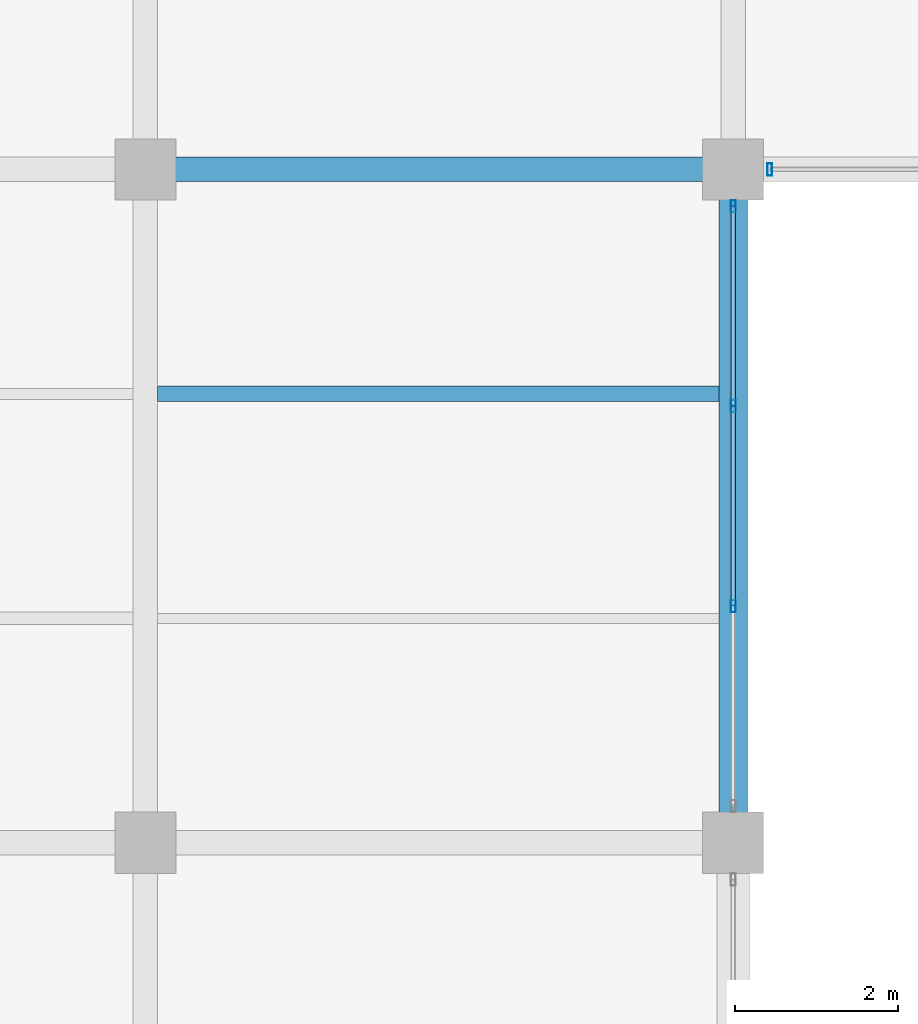
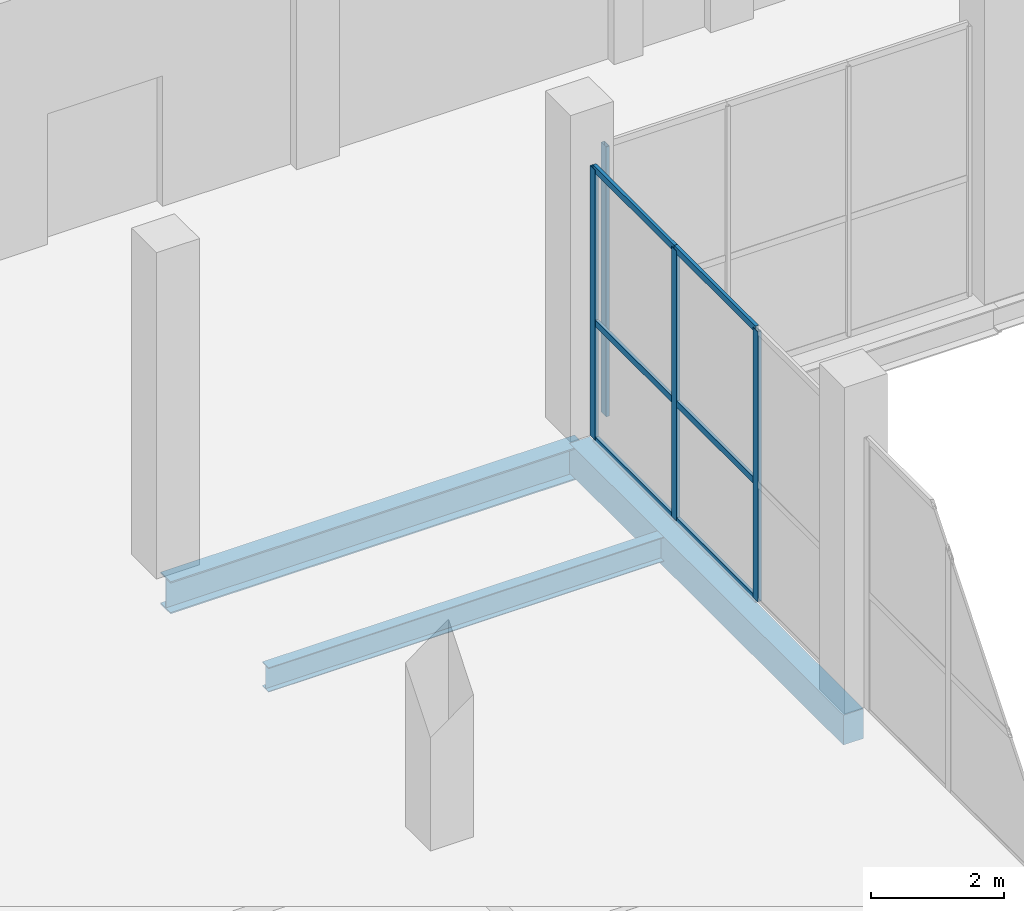
# One storey, part 75 of 144: 10 members, 3 beams, 2 elements without a shape of their own.
"""IFC4 building model written with IfcOpenShell, lengths in metres."""

from ifc_helpers import new_model, si_unit, direction, frame, origin, origin_2d, place, context, subcontext, project, spatial, rectangle, hollow_rectangle, i_section, extrude, material, layer, layer_set, material_profile, profile_set, type_object, element, aggregate, save


model = new_model("IFC4")

# Units and contexts
model_context = context("Model", 3, precision=1e-05, world=origin(), true_north=direction((0.0, 1.0)))
body_context = subcontext(model_context, "Body", "Model", "MODEL_VIEW")
ifc_project = project(units=[si_unit("LENGTHUNIT", "METRE"), si_unit("AREAUNIT", "SQUARE_METRE"), si_unit("VOLUMEUNIT", "CUBIC_METRE"), si_unit("PLANEANGLEUNIT", "RADIAN"), si_unit("MASSUNIT", "GRAM", prefix="KILO")], contexts=[model_context])

# Site, building, storey
site_placement = place(None, origin())
site = spatial("IfcSite", under=ifc_project, at=site_placement, CompositionType="ELEMENT")
building_placement = place(site_placement, origin())
building = spatial("IfcBuilding", under=site, at=building_placement, Name="Sundgate Opera House", CompositionType="ELEMENT")
storey_placement = place(building_placement, origin())
storey = spatial("IfcBuildingStorey", under=building, at=storey_placement, Name="L00", CompositionType="ELEMENT", Elevation=0.0)

# Beams
ifc_material_1 = material(Name="Steel S355J2", Category="steel")
ifc_material_profile_1 = material_profile(ifc_material_1, i_section(OverallWidth=0.300048828125, OverallDepth=0.590087890625, WebThickness=0.012939453125, FlangeThickness=0.02490234375, at=origin_2d()), Name="HEA 600")
ifc_profile_set_1 = profile_set([ifc_material_profile_1], Name="Steel S355J2")
beam_type_1 = type_object("IfcBeamType", Name="BM-GR-HEA600", PredefinedType="BEAM", material=ifc_profile_set_1)
beam_1_placement = place(storey_placement, frame((117.0, 111.75, -0.614990234375), z_axis=(1.0, 0.0, 0.0), x_axis=(0.0, 1.0, 0.0)))
element("IfcBeam", 1, at=beam_1_placement, inside=storey, type_object=beam_type_1, Name="L00 Primary E-W Girder B0572", PredefinedType="BEAM", context=body_context, shape_type="SweptSolid", body=[
    extrude(i_section(OverallWidth=0.300048828125, OverallDepth=0.590087890625, WebThickness=0.012939453125, FlangeThickness=0.02490234375, at=origin_2d()), origin(), (0.0, 0.0, 1.0), 7.199951171875),
])
ifc_material_2 = material(Name="Steel S355J2", Category="steel")
ifc_material_profile_2 = material_profile(ifc_material_2, i_section(OverallWidth=0.18994140625, OverallDepth=0.449951171875, WebThickness=0.009521484375, FlangeThickness=0.0146484375, at=origin_2d()), Name="IPE 450")
ifc_profile_set_2 = profile_set([ifc_material_profile_2], Name="Steel S355J2")
beam_type_2 = type_object("IfcBeamType", Name="BM-JS-IPE450", PredefinedType="JOIST", material=ifc_profile_set_2)
beam_2_placement = place(storey_placement, frame((117.14990234375, 109.0, -0.544921875), z_axis=(1.0, 0.0, 0.0), x_axis=(0.0, 1.0, 0.0)))
element("IfcBeam", 2, at=beam_2_placement, inside=storey, type_object=beam_type_2, Name="L00 Secondary Floor Joist B1015", PredefinedType="JOIST", context=body_context, shape_type="SweptSolid", body=[
    extrude(i_section(OverallWidth=0.18994140625, OverallDepth=0.449951171875, WebThickness=0.009521484375, FlangeThickness=0.0146484375, at=origin_2d()), origin(), (0.0, 0.0, 1.0), 6.875),
])
ifc_material_3 = material(Name="Concrete C35/45", Category="concrete")
ifc_material_profile_3 = material_profile(ifc_material_3, rectangle(XDim=0.35009765625, YDim=0.550048828125, at=origin_2d()), Name="RC 350x550")
ifc_profile_set_3 = profile_set([ifc_material_profile_3], Name="Concrete C35/45")
beam_type_3 = type_object("IfcBeamType", Name="BM-RC-350x550", PredefinedType="BEAM", material=ifc_profile_set_3)
beam_3_placement = place(storey_placement, frame((124.199951171875, 103.5, -0.594970703125), z_axis=(0.0, 1.0, 0.0), x_axis=(-1.0, 0.0, 0.0)))
element("IfcBeam", 3, at=beam_3_placement, inside=storey, type_object=beam_type_3, Name="L00 Primary N-S Girder B0256", PredefinedType="BEAM", context=body_context, shape_type="SweptSolid", body=[
    extrude(rectangle(XDim=0.35009765625, YDim=0.550048828125, at=origin_2d()), origin(), (0.0, 0.0, 1.0), 8.25),
])

# Curtain wall, member
ifc_material_4 = material(Name="Anodized aluminium and low-iron glass", Category="aluminium")
ifc_layer = layer(ifc_material_4, 0.159912109375)
ifc_layer_set = layer_set([ifc_layer], Name="Anodized aluminium and low-iron glass")
curtain_wall_type = type_object("IfcCurtainWallType", Name="CW-STUDIO-DARK", PredefinedType="NOTDEFINED", material=ifc_layer_set)
curtain_wall_1_placement = place(storey_placement, origin())
curtain_wall_1 = element("IfcCurtainWall", 4, at=curtain_wall_1_placement, inside=storey, type_object=curtain_wall_type, Name="L00 Curtain Wall CW081", PredefinedType="NOTDEFINED")
ifc_material_5 = material(Name="Anodized aluminium EN AW-6063", Category="aluminium")
ifc_material_profile_4 = material_profile(ifc_material_5, hollow_rectangle(XDim=0.06005859375, YDim=0.14990234375, WallThickness=0.00390625, at=origin_2d()), Name="CWM 150x60x4")
ifc_profile_set_4 = profile_set([ifc_material_profile_4], Name="Anodized aluminium EN AW-6063")
member_type_1 = type_object("IfcMemberType", Name="CWM-ALU-150x60", PredefinedType="MULLION", material=ifc_profile_set_4)
member_1_placement = place(storey_placement, frame((124.64990234375, 111.75, 0.0), z_axis=(0.0, 0.0, 1.0), x_axis=(1.0, 0.0, 0.0)))
member_1 = element("IfcMember", 5, at=member_1_placement, type_object=member_type_1, Name="CW081 Mullion 4", PredefinedType="MULLION", context=body_context, shape_type="SweptSolid", body=[
    extrude(hollow_rectangle(XDim=0.06005859375, YDim=0.14990234375, WallThickness=0.00390625, at=origin_2d()), origin(), (0.0, 0.0, 1.0), 4.965087890625),
])
aggregate(curtain_wall_1, [member_1])

# Curtain wall, members
curtain_wall_2_placement = place(storey_placement, origin())
curtain_wall_2 = element("IfcCurtainWall", 6, at=curtain_wall_2_placement, inside=storey, type_object=curtain_wall_type, Name="L00 Curtain Wall CW092", PredefinedType="NOTDEFINED")
member_2_placement = place(storey_placement, frame((124.199951171875, 106.39990234375, 0.0), z_axis=(0.0, 0.0, 1.0), x_axis=(1.0, 0.0, 0.0)))
member_2 = element("IfcMember", 7, at=member_2_placement, type_object=member_type_1, Name="CW092 Mullion 2", PredefinedType="MULLION", context=body_context, shape_type="SweptSolid", body=[
    extrude(hollow_rectangle(XDim=0.06005859375, YDim=0.14990234375, WallThickness=0.00390625, at=origin_2d()), origin(), (0.0, 0.0, 1.0), 4.965087890625),
])
member_3_placement = place(storey_placement, frame((124.199951171875, 108.85009765625, 0.0), z_axis=(0.0, 0.0, 1.0), x_axis=(1.0, 0.0, 0.0)))
member_3 = element("IfcMember", 8, at=member_3_placement, type_object=member_type_1, Name="CW092 Mullion 3", PredefinedType="MULLION", context=body_context, shape_type="SweptSolid", body=[
    extrude(hollow_rectangle(XDim=0.06005859375, YDim=0.14990234375, WallThickness=0.00390625, at=origin_2d()), origin(), (0.0, 0.0, 1.0), 4.965087890625),
])
member_4_placement = place(storey_placement, frame((124.199951171875, 111.300048828125, 0.0), z_axis=(0.0, 0.0, 1.0), x_axis=(1.0, 0.0, 0.0)))
member_4 = element("IfcMember", 9, at=member_4_placement, type_object=member_type_1, Name="CW092 Mullion 4", PredefinedType="MULLION", context=body_context, shape_type="SweptSolid", body=[
    extrude(hollow_rectangle(XDim=0.06005859375, YDim=0.14990234375, WallThickness=0.00390625, at=origin_2d()), origin(), (0.0, 0.0, 1.0), 4.965087890625),
])
ifc_material_6 = material(Name="Anodized aluminium EN AW-6063", Category="aluminium")
ifc_material_profile_5 = material_profile(ifc_material_6, hollow_rectangle(XDim=0.054931640625, YDim=0.1201171875, WallThickness=0.00390625, at=origin_2d()), Name="CWT 120x55x4")
ifc_profile_set_5 = profile_set([ifc_material_profile_5], Name="Anodized aluminium EN AW-6063")
member_type_2 = type_object("IfcMemberType", Name="CWT-ALU-120x55", PredefinedType="USERDEFINED", material=ifc_profile_set_5)
member_5_placement = place(storey_placement, frame((124.199951171875, 106.39990234375, 0.0), z_axis=(0.0, 1.0, 0.0), x_axis=(-1.0, 0.0, 0.0)))
member_5 = element("IfcMember", 10, at=member_5_placement, type_object=member_type_2, Name="CW092 Transom 4", ObjectType="TRANSOM", PredefinedType="USERDEFINED", context=body_context, shape_type="SweptSolid", body=[
    extrude(hollow_rectangle(XDim=0.054931640625, YDim=0.1201171875, WallThickness=0.00390625, at=origin_2d()), origin(), (0.0, 0.0, 1.0), 2.4501953125),
])
member_6_placement = place(storey_placement, frame((124.199951171875, 106.39990234375, 2.14990234375), z_axis=(0.0, 1.0, 0.0), x_axis=(-1.0, 0.0, 0.0)))
member_6 = element("IfcMember", 11, at=member_6_placement, type_object=member_type_2, Name="CW092 Transom 5", ObjectType="TRANSOM", PredefinedType="USERDEFINED", context=body_context, shape_type="SweptSolid", body=[
    extrude(hollow_rectangle(XDim=0.054931640625, YDim=0.1201171875, WallThickness=0.00390625, at=origin_2d()), origin(), (0.0, 0.0, 1.0), 2.4501953125),
])
member_7_placement = place(storey_placement, frame((124.199951171875, 106.39990234375, 4.965087890625), z_axis=(0.0, 1.0, 0.0), x_axis=(-1.0, 0.0, 0.0)))
member_7 = element("IfcMember", 12, at=member_7_placement, type_object=member_type_2, Name="CW092 Transom 6", ObjectType="TRANSOM", PredefinedType="USERDEFINED", context=body_context, shape_type="SweptSolid", body=[
    extrude(hollow_rectangle(XDim=0.054931640625, YDim=0.1201171875, WallThickness=0.00390625, at=origin_2d()), origin(), (0.0, 0.0, 1.0), 2.4501953125),
])
member_8_placement = place(storey_placement, frame((124.199951171875, 108.85009765625, 0.0), z_axis=(0.0, 1.0, 0.0), x_axis=(-1.0, 0.0, 0.0)))
member_8 = element("IfcMember", 13, at=member_8_placement, type_object=member_type_2, Name="CW092 Transom 7", ObjectType="TRANSOM", PredefinedType="USERDEFINED", context=body_context, shape_type="SweptSolid", body=[
    extrude(hollow_rectangle(XDim=0.054931640625, YDim=0.1201171875, WallThickness=0.00390625, at=origin_2d()), origin(), (0.0, 0.0, 1.0), 2.449951171875),
])
member_9_placement = place(storey_placement, frame((124.199951171875, 108.85009765625, 2.14990234375), z_axis=(0.0, 1.0, 0.0), x_axis=(-1.0, 0.0, 0.0)))
member_9 = element("IfcMember", 14, at=member_9_placement, type_object=member_type_2, Name="CW092 Transom 8", ObjectType="TRANSOM", PredefinedType="USERDEFINED", context=body_context, shape_type="SweptSolid", body=[
    extrude(hollow_rectangle(XDim=0.054931640625, YDim=0.1201171875, WallThickness=0.00390625, at=origin_2d()), origin(), (0.0, 0.0, 1.0), 2.449951171875),
])
member_10_placement = place(storey_placement, frame((124.199951171875, 108.85009765625, 4.965087890625), z_axis=(0.0, 1.0, 0.0), x_axis=(-1.0, 0.0, 0.0)))
member_10 = element("IfcMember", 15, at=member_10_placement, type_object=member_type_2, Name="CW092 Transom 9", ObjectType="TRANSOM", PredefinedType="USERDEFINED", context=body_context, shape_type="SweptSolid", body=[
    extrude(hollow_rectangle(XDim=0.054931640625, YDim=0.1201171875, WallThickness=0.00390625, at=origin_2d()), origin(), (0.0, 0.0, 1.0), 2.449951171875),
])
aggregate(curtain_wall_2, [member_2, member_3, member_4, member_5, member_6, member_7, member_8, member_9, member_10])

save(model, "model.ifc")
